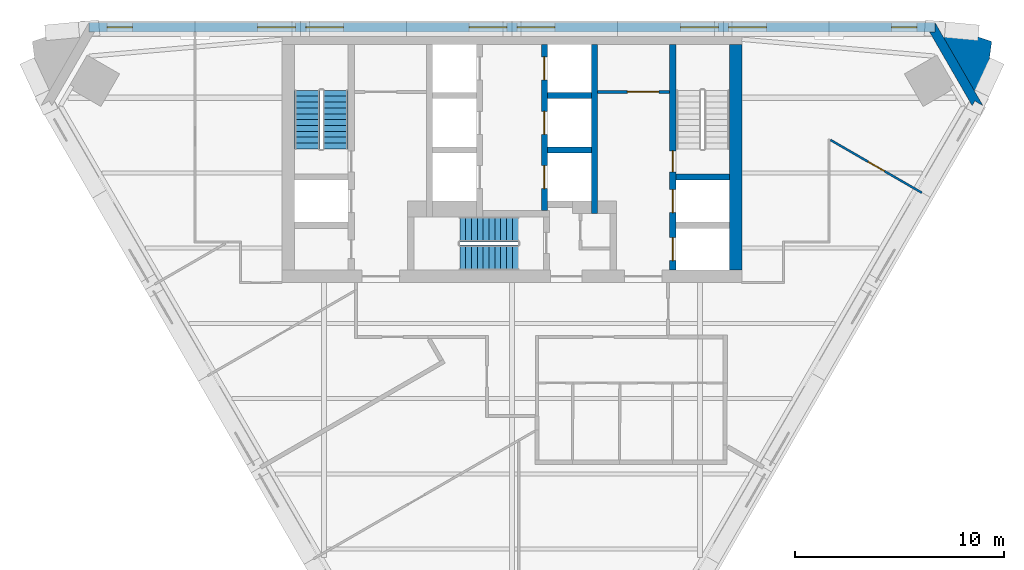
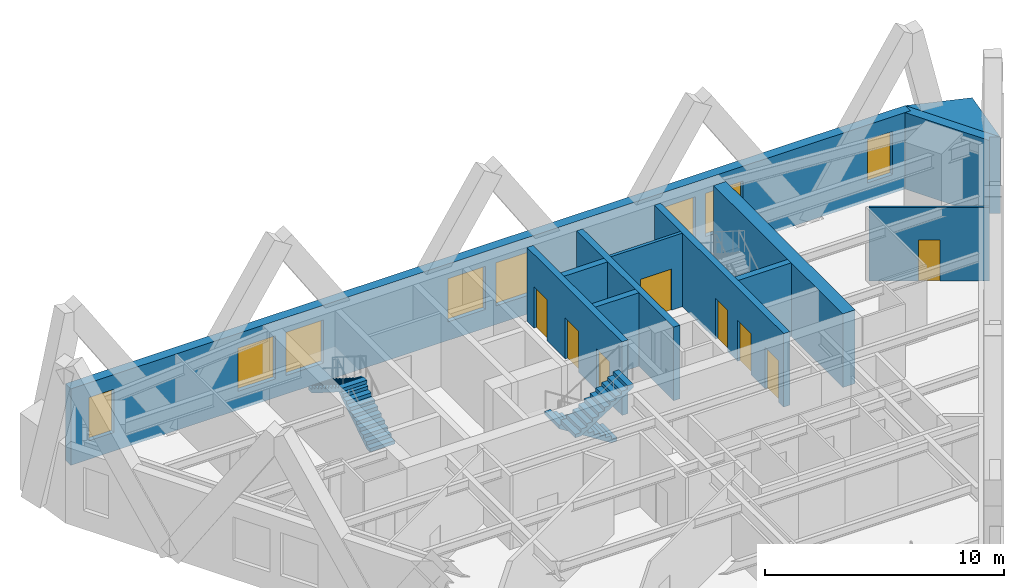
# One storey, part 7 of 11: 12 walls, 8 doors, 8 windows, 4 stair flights, 16 openings, 2 elements without a shape of their own.
"""IFC4 building model written with IfcOpenShell, lengths in metres."""

from ifc_helpers import new_model, si_unit, direction, frame, frame_2d, origin, place, context, subcontext, project, spatial, polyline, rectangle, outline, extrude, material, layer, layer_set, type_object, element, fill, aggregate, save


model = new_model("IFC4")

# Units and contexts
model_context = context("Model", 3, precision=1e-05, world=origin(), true_north=direction((0.0, 1.0)))
body_context = subcontext(model_context, "Body", "Model", "MODEL_VIEW")
ifc_project = project(units=[si_unit("LENGTHUNIT", "METRE"), si_unit("AREAUNIT", "SQUARE_METRE"), si_unit("VOLUMEUNIT", "CUBIC_METRE"), si_unit("PLANEANGLEUNIT", "RADIAN"), si_unit("MASSUNIT", "GRAM", prefix="KILO")], contexts=[model_context])

# Site, building, storey
site_placement = place(None, origin())
site = spatial("IfcSite", under=ifc_project, at=site_placement, CompositionType="ELEMENT")
building_placement = place(site_placement, origin())
building = spatial("IfcBuilding", under=site, at=building_placement, Name="Aloe Facet Convention Tower", CompositionType="ELEMENT")
storey_placement = place(building_placement, frame((0.0, 0.0, 167.60009765625)))
storey = spatial("IfcBuildingStorey", under=building, at=storey_placement, Name="L42", CompositionType="ELEMENT", Elevation=167.60009765625)

# Wall, opening, door
ifc_material_1 = material(Name="Concrete blockwork partition", Category="masonry")
ifc_layer_1 = layer(ifc_material_1, 0.14990234375)
ifc_layer_set_1 = layer_set([ifc_layer_1], Name="CR-W-PART150")
wall_type_1 = type_object("IfcWallType", Name="CR-W-PART150", PredefinedType="PARTITIONING", material=ifc_layer_set_1)
wall_1_placement = place(storey_placement, frame((84.10009765625, 131.675048828125, 0.0), z_axis=(0.0, 0.0, 1.0), x_axis=(1.0, 0.0, 0.0)))
wall_1 = element("IfcWall", 1, at=wall_1_placement, inside=storey, type_object=wall_type_1, Name="Core partition L42-025", PredefinedType="PARTITIONING", context=body_context, shape_type="SweptSolid", body=[
    extrude(rectangle(XDim=3.449951171875, YDim=0.14990234375, at=frame_2d((1.72509765625, 0.0))), origin(), (0.0, 0.0, 1.0), 3.75),
])
opening_1_placement = place(wall_1_placement, frame((1.425048828125, 0.0, 0.0)))
opening_1 = element("IfcOpeningElement", 2, at=opening_1_placement, cuts=wall_1, Name="Opening L42-CD13", PredefinedType="OPENING", context=body_context, shape_type="SweptSolid", body=[
    extrude(rectangle(XDim=1.5, YDim=2.10009765625, at=frame_2d((0.75, 1.050048828125))), frame((0.0, 0.0849609375, 0.0), z_axis=(0.0, -1.0, 0.0), x_axis=(1.0, 0.0, 0.0)), (0.0, 0.0, 1.0), 0.169921875),
])
ifc_material_2 = material(Name="Steel fire-resisting door set FD60", Category="steel")
door_type_1 = type_object("IfcDoorType", Name="CR-D-REFUGE-1500-FD60-DD", OperationType="DOUBLE_DOOR_DOUBLE_SWING", PredefinedType="DOOR", material=ifc_material_2)
door_1_placement = place(opening_1_placement, origin())
door_1 = element("IfcDoor", 3, at=door_1_placement, inside=storey, type_object=door_type_1, Name="Core door L42-CD13", OperationType="DOUBLE_DOOR_DOUBLE_SWING", OverallHeight=2.10009765625, OverallWidth=1.5, PredefinedType="DOOR", context=body_context, shape_type="SweptSolid", body=[
    extrude(rectangle(XDim=1.5, YDim=2.10009765625, at=frame_2d((0.75, 1.050048828125))), frame((0.0, 0.02490234375, 0.0), z_axis=(0.0, -1.0, 0.0), x_axis=(1.0, 0.0, 0.0)), (0.0, 0.0, 1.0), 0.050048828125),
])
fill(opening_1, door_1)

# Wall, openings, doors
ifc_material_3 = material(Name="Concrete C60/75", Category="concrete")
ifc_layer_2 = layer(ifc_material_3, 0.300048828125)
ifc_layer_set_2 = layer_set([ifc_layer_2], Name="CR-W-RC300-C6075")
wall_type_2 = type_object("IfcWallType", Name="CR-W-RC300-C6075", PredefinedType="SOLIDWALL", material=ifc_layer_set_2)
wall_2_placement = place(storey_placement, frame((81.550048828125, 133.949951171875, 0.0), z_axis=(0.0, 0.0, 1.0), x_axis=(0.0, -1.0, 0.0)))
wall_2 = element("IfcWall", 4, at=wall_2_placement, inside=storey, type_object=wall_type_2, Name="Core wall L42-016", PredefinedType="SOLIDWALL", context=body_context, shape_type="SweptSolid", body=[
    extrude(rectangle(XDim=7.949951171875, YDim=0.300048828125, at=frame_2d((3.97509765625, 0.0))), origin(), (0.0, 0.0, 1.0), 3.75),
])
opening_2_placement = place(wall_2_placement, frame((0.60009765625, 0.0, 0.0)))
opening_2 = element("IfcOpeningElement", 5, at=opening_2_placement, cuts=wall_2, Name="Opening LD-B4-L42", PredefinedType="OPENING", context=body_context, shape_type="SweptSolid", body=[
    extrude(rectangle(XDim=1.10009765625, YDim=2.10009765625, at=frame_2d((0.550048828125, 1.050048828125))), frame((0.0, 0.16015625, 0.0), z_axis=(0.0, -1.0, 0.0), x_axis=(1.0, 0.0, 0.0)), (0.0, 0.0, 1.0), 0.320068359375),
])
opening_3_placement = place(wall_2_placement, frame((3.199951171875, 0.0, 0.0)))
opening_3 = element("IfcOpeningElement", 6, at=opening_3_placement, cuts=wall_2, Name="Opening LD-B5-L42", PredefinedType="OPENING", context=body_context, shape_type="SweptSolid", body=[
    extrude(rectangle(XDim=1.10009765625, YDim=2.10009765625, at=frame_2d((0.550048828125, 1.050048828125))), frame((0.0, 0.16015625, 0.0), z_axis=(0.0, -1.0, 0.0), x_axis=(1.0, 0.0, 0.0)), (0.0, 0.0, 1.0), 0.320068359375),
])
opening_4_placement = place(wall_2_placement, frame((5.800048828125, 0.0, 0.0)))
opening_4 = element("IfcOpeningElement", 7, at=opening_4_placement, cuts=wall_2, Name="Opening LD-B6-L42", PredefinedType="OPENING", context=body_context, shape_type="SweptSolid", body=[
    extrude(rectangle(XDim=1.10009765625, YDim=2.10009765625, at=frame_2d((0.550048828125, 1.050048828125))), frame((0.0, 0.16015625, 0.0), z_axis=(0.0, -1.0, 0.0), x_axis=(1.0, 0.0, 0.0)), (0.0, 0.0, 1.0), 0.320068359375),
])
ifc_material_4 = material(Name="Stainless steel sliding landing door", Category="steel")
door_type_2 = type_object("IfcDoorType", Name="CR-LD-1100-FD60-_LEFT", OperationType="SLIDING_TO_LEFT", PredefinedType="DOOR", material=ifc_material_4)
door_2_placement = place(opening_2_placement, origin())
door_2 = element("IfcDoor", 8, at=door_2_placement, inside=storey, type_object=door_type_2, Name="Landing door B4 L42", OperationType="SLIDING_TO_LEFT", OverallHeight=2.10009765625, OverallWidth=1.10009765625, PredefinedType="DOOR", context=body_context, shape_type="SweptSolid", body=[
    extrude(rectangle(XDim=1.10009765625, YDim=2.10009765625, at=frame_2d((0.550048828125, 1.050048828125))), frame((0.0, 0.02490234375, 0.0), z_axis=(0.0, -1.0, 0.0), x_axis=(1.0, 0.0, 0.0)), (0.0, 0.0, 1.0), 0.050048828125),
])
fill(opening_2, door_2)
door_3_placement = place(opening_3_placement, origin())
door_3 = element("IfcDoor", 9, at=door_3_placement, inside=storey, type_object=door_type_2, Name="Landing door B5 L42", OperationType="SLIDING_TO_LEFT", OverallHeight=2.10009765625, OverallWidth=1.10009765625, PredefinedType="DOOR", context=body_context, shape_type="SweptSolid", body=[
    extrude(rectangle(XDim=1.10009765625, YDim=2.10009765625, at=frame_2d((0.550048828125, 1.050048828125))), frame((0.0, 0.02490234375, 0.0), z_axis=(0.0, -1.0, 0.0), x_axis=(1.0, 0.0, 0.0)), (0.0, 0.0, 1.0), 0.050048828125),
])
fill(opening_3, door_3)
door_4_placement = place(opening_4_placement, origin())
door_4 = element("IfcDoor", 10, at=door_4_placement, inside=storey, type_object=door_type_2, Name="Landing door B6 L42", OperationType="SLIDING_TO_LEFT", OverallHeight=2.10009765625, OverallWidth=1.10009765625, PredefinedType="DOOR", context=body_context, shape_type="SweptSolid", body=[
    extrude(rectangle(XDim=1.10009765625, YDim=2.10009765625, at=frame_2d((0.550048828125, 1.050048828125))), frame((0.0, 0.02490234375, 0.0), z_axis=(0.0, -1.0, 0.0), x_axis=(1.0, 0.0, 0.0)), (0.0, 0.0, 1.0), 0.050048828125),
])
fill(opening_4, door_4)

# Walls
for number, where, z_axis, x_axis, name in (
    (11, (81.699951171875, 131.5, 0.0), (0.0, 0.0, 1.0), (1.0, 0.0, 0.0), "Core wall L42-018"),
    (12, (81.699951171875, 128.89990234375, 0.0), (0.0, 0.0, 1.0), (1.0, 0.0, 0.0), "Core wall L42-019"),
):
    element("IfcWall", number, at=place(storey_placement, frame(where, z_axis=z_axis, x_axis=x_axis)), inside=storey, type_object=wall_type_2, Name=name, PredefinedType="SOLIDWALL", context=body_context, shape_type="SweptSolid", body=[
        extrude(rectangle(XDim=2.10009765625, YDim=0.300048828125, at=frame_2d((1.050048828125, 0.0))), origin(), (0.0, 0.0, 1.0), 3.75),
    ])
wall_3_placement = place(storey_placement, frame((83.949951171875, 133.949951171875, 0.0), z_axis=(0.0, 0.0, 1.0), x_axis=(0.0, -1.0, 0.0)))
element("IfcWall", 13, at=wall_3_placement, inside=storey, type_object=wall_type_2, Name="Core wall L42-024", PredefinedType="SOLIDWALL", context=body_context, shape_type="SweptSolid", body=[
    extrude(rectangle(XDim=8.099853515625, YDim=0.300048828125, at=frame_2d((4.0498046875, 0.0))), origin(), (0.0, 0.0, 1.0), 3.75),
])

# Wall, openings, doors
wall_4_placement = place(storey_placement, frame((87.699951171875, 133.949951171875, 0.0), z_axis=(0.0, 0.0, 1.0), x_axis=(0.0, -1.0, 0.0)))
wall_4 = element("IfcWall", 14, at=wall_4_placement, inside=storey, type_object=wall_type_2, Name="Core wall L42-028", PredefinedType="SOLIDWALL", context=body_context, shape_type="SweptSolid", body=[
    extrude(rectangle(XDim=10.800048828125, YDim=0.300048828125, at=frame_2d((5.39990234375, 0.0))), origin(), (0.0, 0.0, 1.0), 3.75),
])
opening_5_placement = place(wall_4_placement, frame((6.949951171875, 0.0, 0.0)))
opening_5 = element("IfcOpeningElement", 15, at=opening_5_placement, cuts=wall_4, Name="Opening LD-FF2-L42", PredefinedType="OPENING", context=body_context, shape_type="SweptSolid", body=[
    extrude(rectangle(XDim=1.10009765625, YDim=2.10009765625, at=frame_2d((0.550048828125, 1.050048828125))), frame((0.0, 0.16015625, 0.0), z_axis=(0.0, -1.0, 0.0), x_axis=(1.0, 0.0, 0.0)), (0.0, 0.0, 1.0), 0.320068359375),
])
opening_6_placement = place(wall_4_placement, frame((5.10009765625, 0.0, 0.0)))
opening_6 = element("IfcOpeningElement", 16, at=opening_6_placement, cuts=wall_4, Name="Opening L42-CD17", PredefinedType="OPENING", context=body_context, shape_type="SweptSolid", body=[
    extrude(rectangle(XDim=1.0, YDim=2.10009765625, at=frame_2d((0.5, 1.050048828125))), frame((0.0, 0.16015625, 0.0), z_axis=(0.0, -1.0, 0.0), x_axis=(1.0, 0.0, 0.0)), (0.0, 0.0, 1.0), 0.320068359375),
])
opening_7_placement = place(wall_4_placement, frame((9.25, 0.0, 0.0)))
opening_7 = element("IfcOpeningElement", 17, at=opening_7_placement, cuts=wall_4, Name="Opening LD-SV1-L42", PredefinedType="OPENING", context=body_context, shape_type="SweptSolid", body=[
    extrude(rectangle(XDim=1.10009765625, YDim=2.10009765625, at=frame_2d((0.550048828125, 1.050048828125))), frame((0.0, 0.16015625, 0.0), z_axis=(0.0, -1.0, 0.0), x_axis=(1.0, 0.0, 0.0)), (0.0, 0.0, 1.0), 0.320068359375),
])
ifc_material_5 = material(Name="Steel fire-resisting door set FD120", Category="steel")
door_type_3 = type_object("IfcDoorType", Name="CR-D-STAIR-1000-FD120-SLEFT", OperationType="SINGLE_SWING_LEFT", PredefinedType="DOOR", material=ifc_material_5)
door_5_placement = place(opening_6_placement, origin())
door_5 = element("IfcDoor", 18, at=door_5_placement, inside=storey, type_object=door_type_3, Name="Core door L42-CD17", OperationType="SINGLE_SWING_LEFT", OverallHeight=2.10009765625, OverallWidth=1.0, PredefinedType="DOOR", context=body_context, shape_type="SweptSolid", body=[
    extrude(rectangle(XDim=1.0, YDim=2.10009765625, at=frame_2d((0.5, 1.050048828125))), frame((0.0, 0.02490234375, 0.0), z_axis=(0.0, -1.0, 0.0), x_axis=(1.0, 0.0, 0.0)), (0.0, 0.0, 1.0), 0.050048828125),
])
fill(opening_6, door_5)
ifc_material_6 = material(Name="Stainless steel sliding landing door", Category="steel")
door_type_4 = type_object("IfcDoorType", Name="CR-LD-1100-FD120-_LEFT", OperationType="SLIDING_TO_LEFT", PredefinedType="DOOR", material=ifc_material_6)
door_6_placement = place(opening_5_placement, origin())
door_6 = element("IfcDoor", 19, at=door_6_placement, inside=storey, type_object=door_type_4, Name="Landing door FF2 L42", OperationType="SLIDING_TO_LEFT", OverallHeight=2.10009765625, OverallWidth=1.10009765625, PredefinedType="DOOR", context=body_context, shape_type="SweptSolid", body=[
    extrude(rectangle(XDim=1.10009765625, YDim=2.10009765625, at=frame_2d((0.550048828125, 1.050048828125))), frame((0.0, 0.02490234375, 0.0), z_axis=(0.0, -1.0, 0.0), x_axis=(1.0, 0.0, 0.0)), (0.0, 0.0, 1.0), 0.050048828125),
])
fill(opening_5, door_6)
door_7_placement = place(opening_7_placement, origin())
door_7 = element("IfcDoor", 20, at=door_7_placement, inside=storey, type_object=door_type_4, Name="Landing door SV1 L42", OperationType="SLIDING_TO_LEFT", OverallHeight=2.10009765625, OverallWidth=1.10009765625, PredefinedType="DOOR", context=body_context, shape_type="SweptSolid", body=[
    extrude(rectangle(XDim=1.10009765625, YDim=2.10009765625, at=frame_2d((0.550048828125, 1.050048828125))), frame((0.0, 0.02490234375, 0.0), z_axis=(0.0, -1.0, 0.0), x_axis=(1.0, 0.0, 0.0)), (0.0, 0.0, 1.0), 0.050048828125),
])
fill(opening_7, door_7)

# Walls
wall_5_placement = place(storey_placement, frame((87.85009765625, 127.60009765625, 0.0), z_axis=(0.0, 0.0, 1.0), x_axis=(1.0, 0.0, 0.0)))
element("IfcWall", 21, at=wall_5_placement, inside=storey, type_object=wall_type_2, Name="Core wall L42-029", PredefinedType="SOLIDWALL", context=body_context, shape_type="SweptSolid", body=[
    extrude(rectangle(XDim=2.5498046875, YDim=0.300048828125, at=frame_2d((1.27490234375, 0.0))), origin(), (0.0, 0.0, 1.0), 3.75),
])
ifc_material_7 = material(Name="Concrete C60/75", Category="concrete")
ifc_layer_3 = layer(ifc_material_7, 0.60009765625)
ifc_layer_set_3 = layer_set([ifc_layer_3], Name="CR-W-RC600-C6075")
wall_type_3 = type_object("IfcWallType", Name="CR-W-RC600-C6075", PredefinedType="SOLIDWALL", material=ifc_layer_set_3)
wall_6_placement = place(storey_placement, frame((90.699951171875, 133.949951171875, 0.0), z_axis=(0.0, 0.0, 1.0), x_axis=(0.0, -1.0, 0.0)))
element("IfcWall", 22, at=wall_6_placement, inside=storey, type_object=wall_type_3, Name="Core wall L42-031", PredefinedType="SOLIDWALL", context=body_context, shape_type="SweptSolid", body=[
    extrude(rectangle(XDim=10.800048828125, YDim=0.60009765625, at=frame_2d((5.39990234375, 0.0))), origin(), (0.0, 0.0, 1.0), 3.75),
])
ifc_material_8 = material(Name="Precast concrete C40/50", Category="concrete")
ifc_layer_4 = layer(ifc_material_8, 0.449951171875)
ifc_layer_set_4 = layer_set([ifc_layer_4], Name="EV-WALL-PIER")
wall_type_4 = type_object("IfcWallType", Name="EV-WALL-PIER", PredefinedType="SOLIDWALL", material=ifc_layer_set_4)
wall_7_placement = place(storey_placement, frame((0.0, 0.0, -0.150146484375)))
element("IfcWall", 23, at=wall_7_placement, inside=storey, type_object=wall_type_4, Name="EP-L42-C", PredefinedType="SOLIDWALL", context=body_context, shape_type="SweptSolid", body=[
    extrude(outline(polyline([(102.54296875, 131.016357421875), (102.1533203125, 131.2412109375), (102.0234375, 131.016357421875), (99.983154296875, 134.550048828125), (100.2431640625, 134.550048828125), (100.2431640625, 135.0), (102.54296875, 131.016357421875)])), origin(), (0.0, 0.0, 1.0), 3.900146484375),
])
ifc_material_9 = material(Name="Precast concrete C40/50", Category="concrete")
ifc_layer_5 = layer(ifc_material_9, 3.947998046875)
ifc_layer_set_5 = layer_set([ifc_layer_5], Name="EV-WALL-SPINE")
wall_type_5 = type_object("IfcWallType", Name="EV-WALL-SPINE", PredefinedType="SOLIDWALL", material=ifc_layer_set_5)
wall_8_placement = place(storey_placement, frame((0.0, 0.0, -0.150146484375)))
element("IfcWall", 24, at=wall_8_placement, inside=storey, type_object=wall_type_5, Name="SP-NE-L42", PredefinedType="SOLIDWALL", context=body_context, shape_type="SweptSolid", body=[
    extrude(outline(polyline([(102.54296875, 131.016357421875), (102.96044921875, 134.09130859375), (100.2431640625, 135.0), (102.54296875, 131.016357421875)])), origin(), (0.0, 0.0, 1.0), 3.900146484375),
])

# Wall, openings, windows
ifc_material_10 = material(Name="Precast concrete C40/50", Category="concrete")
ifc_layer_6 = layer(ifc_material_10, 0.449951171875)
ifc_layer_set_6 = layer_set([ifc_layer_6], Name="EV-WALL-STONE")
wall_type_6 = type_object("IfcWallType", Name="EV-WALL-STONE", PredefinedType="SOLIDWALL", material=ifc_layer_set_6)
wall_9_placement = place(storey_placement, frame((100.2431640625, 134.77490234375, -0.150146484375), z_axis=(0.0, 0.0, 1.0), x_axis=(-1.0, 0.0, 0.0)))
wall_9 = element("IfcWall", 25, at=wall_9_placement, inside=storey, type_object=wall_type_6, Name="EW-L42-N01", PredefinedType="SOLIDWALL", context=body_context, shape_type="SweptSolid", body=[
    extrude(outline(polyline([(40.486083984375, 0.0), (40.486083984375, 3.900146484375), (0.0, 3.900146484375), (0.0, 0.0), (40.486083984375, 0.0)])), frame((0.0, 0.22509765625, 0.0), z_axis=(0.0, -1.0, 0.0), x_axis=(1.0, 0.0, 0.0)), (0.0, 0.0, 1.0), 0.449951171875),
])
opening_8_placement = place(wall_9_placement, frame((0.86962890625, 0.0, 0.949951171875)))
opening_8 = element("IfcOpeningElement", 26, at=opening_8_placement, cuts=wall_9, Name="Opening W-L42-N01", PredefinedType="OPENING", context=body_context, shape_type="SweptSolid", body=[
    extrude(rectangle(XDim=1.199951171875, YDim=2.199951171875, at=frame_2d((0.60009765625, 1.10009765625))), frame((0.0, 0.23486328125, 0.0), z_axis=(0.0, -1.0, 0.0), x_axis=(1.0, 0.0, 0.0)), (0.0, 0.0, 1.0), 0.469970703125),
])
opening_9_placement = place(wall_9_placement, frame((8.071533203125, 0.0, 0.949951171875)))
opening_9 = element("IfcOpeningElement", 27, at=opening_9_placement, cuts=wall_9, Name="Opening W-L42-N02", PredefinedType="OPENING", context=body_context, shape_type="SweptSolid", body=[
    extrude(rectangle(XDim=1.800048828125, YDim=2.199951171875, at=frame_2d((0.89990234375, 1.10009765625))), frame((0.0, 0.23486328125, 0.0), z_axis=(0.0, -1.0, 0.0), x_axis=(1.0, 0.0, 0.0)), (0.0, 0.0, 1.0), 0.469970703125),
])
opening_10_placement = place(wall_9_placement, frame((10.37158203125, 0.0, 0.949951171875)))
opening_10 = element("IfcOpeningElement", 28, at=opening_10_placement, cuts=wall_9, Name="Opening W-L42-N03", PredefinedType="OPENING", context=body_context, shape_type="SweptSolid", body=[
    extrude(rectangle(XDim=1.800048828125, YDim=2.199951171875, at=frame_2d((0.89990234375, 1.10009765625))), frame((0.0, 0.23486328125, 0.0), z_axis=(0.0, -1.0, 0.0), x_axis=(1.0, 0.0, 0.0)), (0.0, 0.0, 1.0), 0.469970703125),
])
opening_11_placement = place(wall_9_placement, frame((18.193115234375, 0.0, 0.949951171875)))
opening_11 = element("IfcOpeningElement", 29, at=opening_11_placement, cuts=wall_9, Name="Opening W-L42-N04", PredefinedType="OPENING", context=body_context, shape_type="SweptSolid", body=[
    extrude(rectangle(XDim=1.800048828125, YDim=2.199951171875, at=frame_2d((0.89990234375, 1.10009765625))), frame((0.0, 0.23486328125, 0.0), z_axis=(0.0, -1.0, 0.0), x_axis=(1.0, 0.0, 0.0)), (0.0, 0.0, 1.0), 0.469970703125),
])
opening_12_placement = place(wall_9_placement, frame((20.4931640625, 0.0, 0.949951171875)))
opening_12 = element("IfcOpeningElement", 30, at=opening_12_placement, cuts=wall_9, Name="Opening W-L42-N05", PredefinedType="OPENING", context=body_context, shape_type="SweptSolid", body=[
    extrude(rectangle(XDim=1.800048828125, YDim=2.199951171875, at=frame_2d((0.89990234375, 1.10009765625))), frame((0.0, 0.23486328125, 0.0), z_axis=(0.0, -1.0, 0.0), x_axis=(1.0, 0.0, 0.0)), (0.0, 0.0, 1.0), 0.469970703125),
])
opening_13_placement = place(wall_9_placement, frame((28.314697265625, 0.0, 0.949951171875)))
opening_13 = element("IfcOpeningElement", 31, at=opening_13_placement, cuts=wall_9, Name="Opening W-L42-N06", PredefinedType="OPENING", context=body_context, shape_type="SweptSolid", body=[
    extrude(rectangle(XDim=1.800048828125, YDim=2.199951171875, at=frame_2d((0.89990234375, 1.10009765625))), frame((0.0, 0.23486328125, 0.0), z_axis=(0.0, -1.0, 0.0), x_axis=(1.0, 0.0, 0.0)), (0.0, 0.0, 1.0), 0.469970703125),
])
opening_14_placement = place(wall_9_placement, frame((30.614501953125, 0.0, 0.949951171875)))
opening_14 = element("IfcOpeningElement", 32, at=opening_14_placement, cuts=wall_9, Name="Opening W-L42-N07", PredefinedType="OPENING", context=body_context, shape_type="SweptSolid", body=[
    extrude(rectangle(XDim=1.800048828125, YDim=2.199951171875, at=frame_2d((0.89990234375, 1.10009765625))), frame((0.0, 0.23486328125, 0.0), z_axis=(0.0, -1.0, 0.0), x_axis=(1.0, 0.0, 0.0)), (0.0, 0.0, 1.0), 0.469970703125),
])
opening_15_placement = place(wall_9_placement, frame((38.41650390625, 0.0, 0.949951171875)))
opening_15 = element("IfcOpeningElement", 33, at=opening_15_placement, cuts=wall_9, Name="Opening W-L42-N08", PredefinedType="OPENING", context=body_context, shape_type="SweptSolid", body=[
    extrude(rectangle(XDim=1.199951171875, YDim=2.199951171875, at=frame_2d((0.60009765625, 1.10009765625))), frame((0.0, 0.23486328125, 0.0), z_axis=(0.0, -1.0, 0.0), x_axis=(1.0, 0.0, 0.0)), (0.0, 0.0, 1.0), 0.469970703125),
])
ifc_material_11 = material(Name="Aluminium frame, clear double glazing", Category="aluminium")
window_type_1 = type_object("IfcWindowType", Name="EV-WIN-O12", PartitioningType="SINGLE_PANEL", PredefinedType="WINDOW", material=ifc_material_11)
window_1_placement = place(opening_8_placement, origin())
window_1 = element("IfcWindow", 34, at=window_1_placement, inside=storey, type_object=window_type_1, Name="W-L42-N01", OverallHeight=2.199951171875, OverallWidth=1.199951171875, PartitioningType="SINGLE_PANEL", PredefinedType="WINDOW", context=body_context, shape_type="SweptSolid", body=[
    extrude(rectangle(XDim=1.199951171875, YDim=2.199951171875, at=frame_2d((0.60009765625, 1.10009765625))), frame((0.0, 0.030029296875, 0.0), z_axis=(0.0, -1.0, 0.0), x_axis=(1.0, 0.0, 0.0)), (0.0, 0.0, 1.0), 0.06005859375),
])
fill(opening_8, window_1)
window_2_placement = place(opening_15_placement, origin())
window_2 = element("IfcWindow", 35, at=window_2_placement, inside=storey, type_object=window_type_1, Name="W-L42-N08", OverallHeight=2.199951171875, OverallWidth=1.199951171875, PartitioningType="SINGLE_PANEL", PredefinedType="WINDOW", context=body_context, shape_type="SweptSolid", body=[
    extrude(rectangle(XDim=1.199951171875, YDim=2.199951171875, at=frame_2d((0.60009765625, 1.10009765625))), frame((0.0, 0.030029296875, 0.0), z_axis=(0.0, -1.0, 0.0), x_axis=(1.0, 0.0, 0.0)), (0.0, 0.0, 1.0), 0.06005859375),
])
fill(opening_15, window_2)
ifc_material_12 = material(Name="Aluminium frame, clear double glazing", Category="aluminium")
window_type_2 = type_object("IfcWindowType", Name="EV-WIN-O18", PartitioningType="SINGLE_PANEL", PredefinedType="WINDOW", material=ifc_material_12)
window_3_placement = place(opening_9_placement, origin())
window_3 = element("IfcWindow", 36, at=window_3_placement, inside=storey, type_object=window_type_2, Name="W-L42-N02", OverallHeight=2.199951171875, OverallWidth=1.800048828125, PartitioningType="SINGLE_PANEL", PredefinedType="WINDOW", context=body_context, shape_type="SweptSolid", body=[
    extrude(rectangle(XDim=1.800048828125, YDim=2.199951171875, at=frame_2d((0.89990234375, 1.10009765625))), frame((0.0, 0.030029296875, 0.0), z_axis=(0.0, -1.0, 0.0), x_axis=(1.0, 0.0, 0.0)), (0.0, 0.0, 1.0), 0.06005859375),
])
fill(opening_9, window_3)
window_4_placement = place(opening_10_placement, origin())
window_4 = element("IfcWindow", 37, at=window_4_placement, inside=storey, type_object=window_type_2, Name="W-L42-N03", OverallHeight=2.199951171875, OverallWidth=1.800048828125, PartitioningType="SINGLE_PANEL", PredefinedType="WINDOW", context=body_context, shape_type="SweptSolid", body=[
    extrude(rectangle(XDim=1.800048828125, YDim=2.199951171875, at=frame_2d((0.89990234375, 1.10009765625))), frame((0.0, 0.030029296875, 0.0), z_axis=(0.0, -1.0, 0.0), x_axis=(1.0, 0.0, 0.0)), (0.0, 0.0, 1.0), 0.06005859375),
])
fill(opening_10, window_4)
window_5_placement = place(opening_11_placement, origin())
window_5 = element("IfcWindow", 38, at=window_5_placement, inside=storey, type_object=window_type_2, Name="W-L42-N04", OverallHeight=2.199951171875, OverallWidth=1.800048828125, PartitioningType="SINGLE_PANEL", PredefinedType="WINDOW", context=body_context, shape_type="SweptSolid", body=[
    extrude(rectangle(XDim=1.800048828125, YDim=2.199951171875, at=frame_2d((0.89990234375, 1.10009765625))), frame((0.0, 0.030029296875, 0.0), z_axis=(0.0, -1.0, 0.0), x_axis=(1.0, 0.0, 0.0)), (0.0, 0.0, 1.0), 0.06005859375),
])
fill(opening_11, window_5)
window_6_placement = place(opening_12_placement, origin())
window_6 = element("IfcWindow", 39, at=window_6_placement, inside=storey, type_object=window_type_2, Name="W-L42-N05", OverallHeight=2.199951171875, OverallWidth=1.800048828125, PartitioningType="SINGLE_PANEL", PredefinedType="WINDOW", context=body_context, shape_type="SweptSolid", body=[
    extrude(rectangle(XDim=1.800048828125, YDim=2.199951171875, at=frame_2d((0.89990234375, 1.10009765625))), frame((0.0, 0.030029296875, 0.0), z_axis=(0.0, -1.0, 0.0), x_axis=(1.0, 0.0, 0.0)), (0.0, 0.0, 1.0), 0.06005859375),
])
fill(opening_12, window_6)
window_7_placement = place(opening_13_placement, origin())
window_7 = element("IfcWindow", 40, at=window_7_placement, inside=storey, type_object=window_type_2, Name="W-L42-N06", OverallHeight=2.199951171875, OverallWidth=1.800048828125, PartitioningType="SINGLE_PANEL", PredefinedType="WINDOW", context=body_context, shape_type="SweptSolid", body=[
    extrude(rectangle(XDim=1.800048828125, YDim=2.199951171875, at=frame_2d((0.89990234375, 1.10009765625))), frame((0.0, 0.030029296875, 0.0), z_axis=(0.0, -1.0, 0.0), x_axis=(1.0, 0.0, 0.0)), (0.0, 0.0, 1.0), 0.06005859375),
])
fill(opening_13, window_7)
window_8_placement = place(opening_14_placement, origin())
window_8 = element("IfcWindow", 41, at=window_8_placement, inside=storey, type_object=window_type_2, Name="W-L42-N07", OverallHeight=2.199951171875, OverallWidth=1.800048828125, PartitioningType="SINGLE_PANEL", PredefinedType="WINDOW", context=body_context, shape_type="SweptSolid", body=[
    extrude(rectangle(XDim=1.800048828125, YDim=2.199951171875, at=frame_2d((0.89990234375, 1.10009765625))), frame((0.0, 0.030029296875, 0.0), z_axis=(0.0, -1.0, 0.0), x_axis=(1.0, 0.0, 0.0)), (0.0, 0.0, 1.0), 0.06005859375),
])
fill(opening_14, window_8)

# Wall, opening, door
ifc_material_13 = material(Name="Gypsum board partition on steel studs", Category="steel")
ifc_layer_7 = layer(ifc_material_13, 0.10009765625)
ifc_layer_set_7 = layer_set([ifc_layer_7], Name="IN-W-PART")
wall_type_7 = type_object("IfcWallType", Name="IN-W-PART", PredefinedType="PARTITIONING", material=ifc_layer_set_7)
wall_10_placement = place(storey_placement, frame((95.247314453125, 129.373291015625, 0.0), z_axis=(0.0, 0.0, 1.0), x_axis=(0.866040580427, -0.499973712363, 0.0)))
wall_10 = element("IfcWall", 42, at=wall_10_placement, inside=storey, type_object=wall_type_7, Name="Partition L42-W045", PredefinedType="PARTITIONING", context=body_context, shape_type="SweptSolid", body=[
    extrude(rectangle(XDim=5.046630859375, YDim=0.10009765625, at=frame_2d((2.5234375, 0.0))), origin(), (0.0, 0.0, 1.0), 3.75),
])
opening_16_placement = place(wall_10_placement, frame((2.0732421875, 0.0, 0.0)))
opening_16 = element("IfcOpeningElement", 43, at=opening_16_placement, cuts=wall_10, Name="Opening L42-006", PredefinedType="OPENING", context=body_context, shape_type="SweptSolid", body=[
    extrude(rectangle(XDim=0.89990234375, YDim=2.10009765625, at=frame_2d((0.449951171875, 1.050048828125))), frame((0.0, 0.06005859375, 0.0), z_axis=(0.0, -1.0, 0.0), x_axis=(1.0, 0.0, 0.0)), (0.0, 0.0, 1.0), 0.1201171875),
])
ifc_material_14 = material(Name="Timber door", Category="wood")
door_type_5 = type_object("IfcDoorType", Name="IN-OFF-D-ROOM", OperationType="SINGLE_SWING_LEFT", PredefinedType="DOOR", material=ifc_material_14)
door_8_placement = place(opening_16_placement, origin())
door_8 = element("IfcDoor", 44, at=door_8_placement, inside=storey, type_object=door_type_5, Name="Door L42-006", OperationType="SINGLE_SWING_LEFT", OverallHeight=2.10009765625, OverallWidth=0.89990234375, PredefinedType="DOOR", context=body_context, shape_type="SweptSolid", body=[
    extrude(rectangle(XDim=0.89990234375, YDim=2.10009765625, at=frame_2d((0.449951171875, 1.050048828125))), frame((0.0, 0.02490234375, 0.0), z_axis=(0.0, -1.0, 0.0), x_axis=(1.0, 0.0, 0.0)), (0.0, 0.0, 1.0), 0.050048828125),
])
fill(opening_16, door_8)

# Stair, stair flights
ifc_material_15 = material(Name="Concrete C50/60", Category="concrete")
stair_type = type_object("IfcStairType", Name="CR-ST-22R", PredefinedType="HALF_TURN_STAIR", material=ifc_material_15)
stair_1_placement = place(storey_placement, origin())
stair_1 = element("IfcStair", 45, at=stair_1_placement, inside=storey, type_object=stair_type, Name="L42 Protected exit stair ST1", PredefinedType="HALF_TURN_STAIR")
ifc_material_16 = material(Name="Concrete C50/60", Category="concrete")
stair_flight_type = type_object("IfcStairFlightType", Name="CR-SFL-22R", PredefinedType="STRAIGHT", material=ifc_material_16)
stair_flight_1_placement = place(storey_placement, frame((71.550048828125, 128.949951171875, 0.0), z_axis=(0.0, 0.0, 1.0), x_axis=(0.0, 1.0, 0.0)))
stair_flight_1 = element("IfcStairFlight", 46, at=stair_flight_1_placement, type_object=stair_flight_type, Name="ST1 flight 1", NumberOfRisers=11, NumberOfTreads=10, PredefinedType="STRAIGHT", RiserHeight=0.177272727, TreadLength=0.28, context=body_context, shape_type="SweptSolid", body=[
    extrude(outline(polyline([(0.0, 0.0), (0.0, 0.17724609375), (0.280029296875, 0.17724609375), (0.280029296875, 0.3544921875), (0.56005859375, 0.3544921875), (0.56005859375, 0.53173828125), (0.840087890625, 0.53173828125), (0.840087890625, 0.708984375), (1.1201171875, 0.708984375), (1.1201171875, 0.886474609375), (1.39990234375, 0.886474609375), (1.39990234375, 1.063720703125), (1.679931640625, 1.063720703125), (1.679931640625, 1.240966796875), (1.9599609375, 1.240966796875), (1.9599609375, 1.418212890625), (2.239990234375, 1.418212890625), (2.239990234375, 1.595458984375), (2.52001953125, 1.595458984375), (2.52001953125, 1.772705078125), (2.800048828125, 1.772705078125), (2.800048828125, 1.949951171875), (2.800048828125, 1.59521484375), (0.2802734375, 0.0), (0.0, 0.0)])), frame((0.0, 0.60009765625, 0.0), z_axis=(0.0, -1.0, 0.0), x_axis=(1.0, 0.0, 0.0)), (0.0, 0.0, 1.0), 1.199951171875),
])
stair_flight_2_placement = place(storey_placement, frame((70.199951171875, 131.75, 1.949951171875), z_axis=(0.0, 0.0, 1.0), x_axis=(0.0, -1.0, 0.0)))
stair_flight_2 = element("IfcStairFlight", 47, at=stair_flight_2_placement, type_object=stair_flight_type, Name="ST1 flight 2", NumberOfRisers=11, NumberOfTreads=10, PredefinedType="STRAIGHT", RiserHeight=0.177272727, TreadLength=0.28, context=body_context, shape_type="SweptSolid", body=[
    extrude(outline(polyline([(0.0, 0.0), (0.0, 0.17724609375), (0.280029296875, 0.17724609375), (0.280029296875, 0.3544921875), (0.56005859375, 0.3544921875), (0.56005859375, 0.53173828125), (0.840087890625, 0.53173828125), (0.840087890625, 0.708984375), (1.1201171875, 0.708984375), (1.1201171875, 0.886474609375), (1.39990234375, 0.886474609375), (1.39990234375, 1.063720703125), (1.679931640625, 1.063720703125), (1.679931640625, 1.240966796875), (1.9599609375, 1.240966796875), (1.9599609375, 1.418212890625), (2.239990234375, 1.418212890625), (2.239990234375, 1.595458984375), (2.52001953125, 1.595458984375), (2.52001953125, 1.772705078125), (2.800048828125, 1.772705078125), (2.800048828125, 1.949951171875), (2.800048828125, 1.59521484375), (0.2802734375, 0.0), (0.0, 0.0)])), frame((0.0, 0.60009765625, 0.0), z_axis=(0.0, -1.0, 0.0), x_axis=(1.0, 0.0, 0.0)), (0.0, 0.0, 1.0), 1.199951171875),
])
aggregate(stair_1, [stair_flight_1, stair_flight_2])

stair_2_placement = place(storey_placement, origin())
stair_2 = element("IfcStair", 48, at=stair_2_placement, inside=storey, type_object=stair_type, Name="L42 Protected exit stair ST3", PredefinedType="HALF_TURN_STAIR")
stair_flight_3_placement = place(storey_placement, frame((80.300048828125, 125.10009765625, 0.0), z_axis=(0.0, 0.0, 1.0), x_axis=(-1.0, 0.0, 0.0)))
stair_flight_3 = element("IfcStairFlight", 49, at=stair_flight_3_placement, type_object=stair_flight_type, Name="ST3 flight 1", NumberOfRisers=11, NumberOfTreads=10, PredefinedType="STRAIGHT", RiserHeight=0.177272727, TreadLength=0.28, context=body_context, shape_type="SweptSolid", body=[
    extrude(outline(polyline([(0.0, 0.0), (0.0, 0.17724609375), (0.280029296875, 0.17724609375), (0.280029296875, 0.3544921875), (0.56005859375, 0.3544921875), (0.56005859375, 0.53173828125), (0.840087890625, 0.53173828125), (0.840087890625, 0.708984375), (1.1201171875, 0.708984375), (1.1201171875, 0.886474609375), (1.39990234375, 0.886474609375), (1.39990234375, 1.063720703125), (1.679931640625, 1.063720703125), (1.679931640625, 1.240966796875), (1.9599609375, 1.240966796875), (1.9599609375, 1.418212890625), (2.239990234375, 1.418212890625), (2.239990234375, 1.595458984375), (2.52001953125, 1.595458984375), (2.52001953125, 1.772705078125), (2.800048828125, 1.772705078125), (2.800048828125, 1.949951171875), (2.800048828125, 1.59521484375), (0.2802734375, 0.0), (0.0, 0.0)])), frame((0.0, 0.60009765625, 0.0), z_axis=(0.0, -1.0, 0.0), x_axis=(1.0, 0.0, 0.0)), (0.0, 0.0, 1.0), 1.199951171875),
])
stair_flight_4_placement = place(storey_placement, frame((77.5, 123.75, 1.949951171875), z_axis=(0.0, 0.0, 1.0), x_axis=(1.0, 0.0, 0.0)))
stair_flight_4 = element("IfcStairFlight", 50, at=stair_flight_4_placement, type_object=stair_flight_type, Name="ST3 flight 2", NumberOfRisers=11, NumberOfTreads=10, PredefinedType="STRAIGHT", RiserHeight=0.177272727, TreadLength=0.28, context=body_context, shape_type="SweptSolid", body=[
    extrude(outline(polyline([(0.0, 0.0), (0.0, 0.17724609375), (0.280029296875, 0.17724609375), (0.280029296875, 0.3544921875), (0.56005859375, 0.3544921875), (0.56005859375, 0.53173828125), (0.840087890625, 0.53173828125), (0.840087890625, 0.708984375), (1.1201171875, 0.708984375), (1.1201171875, 0.886474609375), (1.39990234375, 0.886474609375), (1.39990234375, 1.063720703125), (1.679931640625, 1.063720703125), (1.679931640625, 1.240966796875), (1.9599609375, 1.240966796875), (1.9599609375, 1.418212890625), (2.239990234375, 1.418212890625), (2.239990234375, 1.595458984375), (2.52001953125, 1.595458984375), (2.52001953125, 1.772705078125), (2.800048828125, 1.772705078125), (2.800048828125, 1.949951171875), (2.800048828125, 1.59521484375), (0.2802734375, 0.0), (0.0, 0.0)])), frame((0.0, 0.60009765625, 0.0), z_axis=(0.0, -1.0, 0.0), x_axis=(1.0, 0.0, 0.0)), (0.0, 0.0, 1.0), 1.199951171875),
])
aggregate(stair_2, [stair_flight_3, stair_flight_4])

save(model, "model.ifc")
